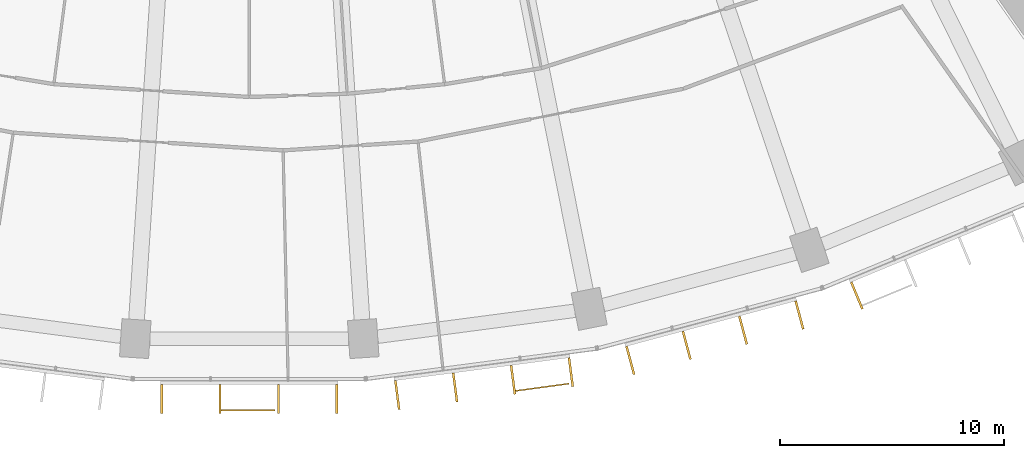
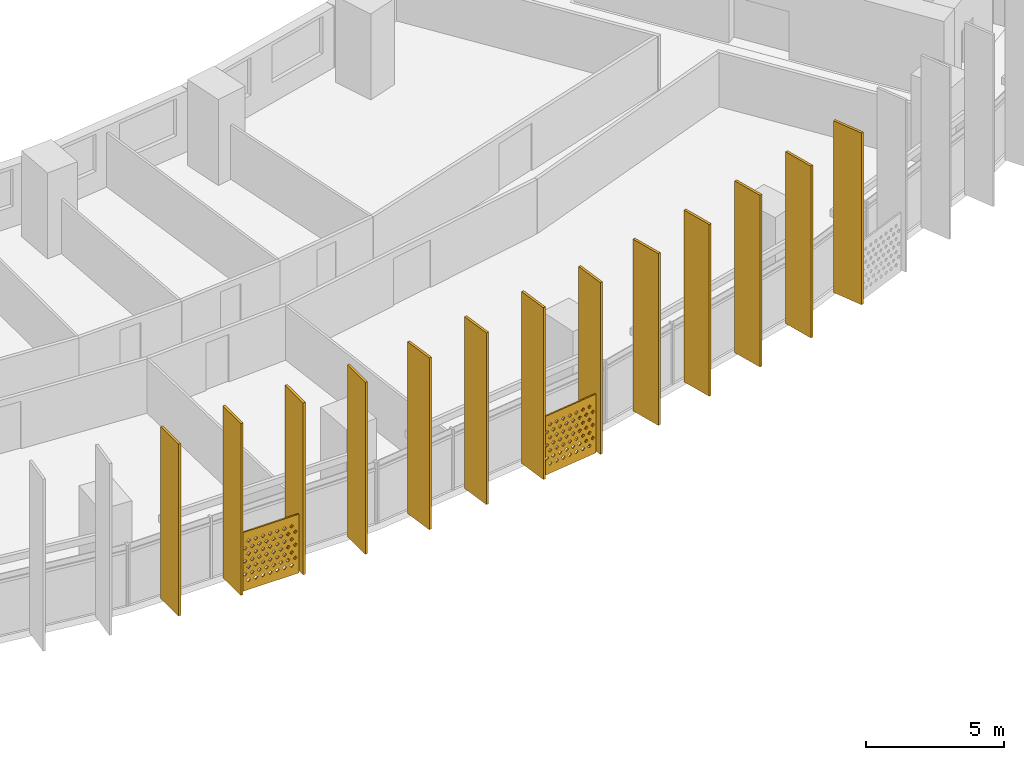
# One storey, part 30 of 33: 15 shading devices.
"""IFC4 building model written with IfcOpenShell, lengths in metres."""

from ifc_helpers import new_model, si_unit, direction, frame, origin, origin_2d, place, context, subcontext, project, spatial, polyline, rectangle, outline, extrude, material, material_profile, profile_set, type_object, element, save


model = new_model("IFC4")

# Units and contexts
model_context = context("Model", 3, precision=1e-05, world=origin(), true_north=direction((0.0, 1.0)))
body_context = subcontext(model_context, "Body", "Model", "MODEL_VIEW")
ifc_project = project(units=[si_unit("LENGTHUNIT", "METRE"), si_unit("AREAUNIT", "SQUARE_METRE"), si_unit("VOLUMEUNIT", "CUBIC_METRE"), si_unit("PLANEANGLEUNIT", "RADIAN"), si_unit("MASSUNIT", "GRAM", prefix="KILO")], contexts=[model_context])

# Site, building, storey
site_placement = place(None, origin())
site = spatial("IfcSite", under=ifc_project, at=site_placement, CompositionType="ELEMENT")
building_placement = place(site_placement, origin())
building = spatial("IfcBuilding", under=site, at=building_placement, Name="Qamariyya Broadcast Tower", CompositionType="ELEMENT")
storey_placement = place(building_placement, frame((0.0, 0.0, 78.5)))
storey = spatial("IfcBuildingStorey", under=building, at=storey_placement, Name="L16", CompositionType="ELEMENT", Elevation=78.5)

# Shading devices
ifc_material_1 = material(Name="Perforated glazed terracotta", Category="masonry")
ifc_material_profile_1 = material_profile(ifc_material_1, outline(polyline([(-1.199951171875, -1.300048828125), (1.199951171875, -1.300048828125), (1.199951171875, 1.300048828125), (-1.199951171875, 1.300048828125), (-1.199951171875, -1.300048828125)]), holes=[polyline([(-0.81494140625, -0.86669921875), (-0.89990234375, -0.78173828125), (-0.985107421875, -0.86669921875), (-0.89990234375, -0.95166015625), (-0.81494140625, -0.86669921875)]), polyline([(-0.514892578125, -0.86669921875), (-0.60009765625, -0.78173828125), (-0.68505859375, -0.86669921875), (-0.60009765625, -0.95166015625), (-0.514892578125, -0.86669921875)]), polyline([(-0.215087890625, -0.86669921875), (-0.300048828125, -0.78173828125), (-0.385009765625, -0.86669921875), (-0.300048828125, -0.95166015625), (-0.215087890625, -0.86669921875)]), polyline([(0.0849609375, -0.86669921875), (0.0, -0.78173828125), (-0.0849609375, -0.86669921875), (0.0, -0.95166015625), (0.0849609375, -0.86669921875)]), polyline([(0.385009765625, -0.86669921875), (0.300048828125, -0.78173828125), (0.215087890625, -0.86669921875), (0.300048828125, -0.95166015625), (0.385009765625, -0.86669921875)]), polyline([(0.68505859375, -0.86669921875), (0.60009765625, -0.78173828125), (0.514892578125, -0.86669921875), (0.60009765625, -0.95166015625), (0.68505859375, -0.86669921875)]), polyline([(0.985107421875, -0.86669921875), (0.89990234375, -0.78173828125), (0.81494140625, -0.86669921875), (0.89990234375, -0.95166015625), (0.985107421875, -0.86669921875)]), polyline([(-0.965087890625, -0.577880859375), (-1.050048828125, -0.49267578125), (-1.135009765625, -0.577880859375), (-1.050048828125, -0.662841796875), (-0.965087890625, -0.577880859375)]), polyline([(-0.6650390625, -0.577880859375), (-0.75, -0.49267578125), (-0.8349609375, -0.577880859375), (-0.75, -0.662841796875), (-0.6650390625, -0.577880859375)]), polyline([(-0.364990234375, -0.577880859375), (-0.449951171875, -0.49267578125), (-0.534912109375, -0.577880859375), (-0.449951171875, -0.662841796875), (-0.364990234375, -0.577880859375)]), polyline([(-0.06494140625, -0.577880859375), (-0.14990234375, -0.49267578125), (-0.235107421875, -0.577880859375), (-0.14990234375, -0.662841796875), (-0.06494140625, -0.577880859375)]), polyline([(0.235107421875, -0.577880859375), (0.14990234375, -0.49267578125), (0.06494140625, -0.577880859375), (0.14990234375, -0.662841796875), (0.235107421875, -0.577880859375)]), polyline([(0.534912109375, -0.577880859375), (0.449951171875, -0.49267578125), (0.364990234375, -0.577880859375), (0.449951171875, -0.662841796875), (0.534912109375, -0.577880859375)]), polyline([(0.8349609375, -0.577880859375), (0.75, -0.49267578125), (0.6650390625, -0.577880859375), (0.75, -0.662841796875), (0.8349609375, -0.577880859375)]), polyline([(1.135009765625, -0.577880859375), (1.050048828125, -0.49267578125), (0.965087890625, -0.577880859375), (1.050048828125, -0.662841796875), (1.135009765625, -0.577880859375)]), polyline([(-0.81494140625, -0.288818359375), (-0.89990234375, -0.203857421875), (-0.985107421875, -0.288818359375), (-0.89990234375, -0.373779296875), (-0.81494140625, -0.288818359375)]), polyline([(-0.514892578125, -0.288818359375), (-0.60009765625, -0.203857421875), (-0.68505859375, -0.288818359375), (-0.60009765625, -0.373779296875), (-0.514892578125, -0.288818359375)]), polyline([(-0.215087890625, -0.288818359375), (-0.300048828125, -0.203857421875), (-0.385009765625, -0.288818359375), (-0.300048828125, -0.373779296875), (-0.215087890625, -0.288818359375)]), polyline([(0.0849609375, -0.288818359375), (0.0, -0.203857421875), (-0.0849609375, -0.288818359375), (0.0, -0.373779296875), (0.0849609375, -0.288818359375)]), polyline([(0.385009765625, -0.288818359375), (0.300048828125, -0.203857421875), (0.215087890625, -0.288818359375), (0.300048828125, -0.373779296875), (0.385009765625, -0.288818359375)]), polyline([(0.68505859375, -0.288818359375), (0.60009765625, -0.203857421875), (0.514892578125, -0.288818359375), (0.60009765625, -0.373779296875), (0.68505859375, -0.288818359375)]), polyline([(0.985107421875, -0.288818359375), (0.89990234375, -0.203857421875), (0.81494140625, -0.288818359375), (0.89990234375, -0.373779296875), (0.985107421875, -0.288818359375)]), polyline([(-0.965087890625, 0.0), (-1.050048828125, 0.0849609375), (-1.135009765625, 0.0), (-1.050048828125, -0.0849609375), (-0.965087890625, 0.0)]), polyline([(-0.6650390625, 0.0), (-0.75, 0.0849609375), (-0.8349609375, 0.0), (-0.75, -0.0849609375), (-0.6650390625, 0.0)]), polyline([(-0.364990234375, 0.0), (-0.449951171875, 0.0849609375), (-0.534912109375, 0.0), (-0.449951171875, -0.0849609375), (-0.364990234375, 0.0)]), polyline([(-0.06494140625, 0.0), (-0.14990234375, 0.0849609375), (-0.235107421875, 0.0), (-0.14990234375, -0.0849609375), (-0.06494140625, 0.0)]), polyline([(0.235107421875, 0.0), (0.14990234375, 0.0849609375), (0.06494140625, 0.0), (0.14990234375, -0.0849609375), (0.235107421875, 0.0)]), polyline([(0.534912109375, 0.0), (0.449951171875, 0.0849609375), (0.364990234375, 0.0), (0.449951171875, -0.0849609375), (0.534912109375, 0.0)]), polyline([(0.8349609375, 0.0), (0.75, 0.0849609375), (0.6650390625, 0.0), (0.75, -0.0849609375), (0.8349609375, 0.0)]), polyline([(1.135009765625, 0.0), (1.050048828125, 0.0849609375), (0.965087890625, 0.0), (1.050048828125, -0.0849609375), (1.135009765625, 0.0)]), polyline([(-0.81494140625, 0.288818359375), (-0.89990234375, 0.373779296875), (-0.985107421875, 0.288818359375), (-0.89990234375, 0.203857421875), (-0.81494140625, 0.288818359375)]), polyline([(-0.514892578125, 0.288818359375), (-0.60009765625, 0.373779296875), (-0.68505859375, 0.288818359375), (-0.60009765625, 0.203857421875), (-0.514892578125, 0.288818359375)]), polyline([(-0.215087890625, 0.288818359375), (-0.300048828125, 0.373779296875), (-0.385009765625, 0.288818359375), (-0.300048828125, 0.203857421875), (-0.215087890625, 0.288818359375)]), polyline([(0.0849609375, 0.288818359375), (0.0, 0.373779296875), (-0.0849609375, 0.288818359375), (0.0, 0.203857421875), (0.0849609375, 0.288818359375)]), polyline([(0.385009765625, 0.288818359375), (0.300048828125, 0.373779296875), (0.215087890625, 0.288818359375), (0.300048828125, 0.203857421875), (0.385009765625, 0.288818359375)]), polyline([(0.68505859375, 0.288818359375), (0.60009765625, 0.373779296875), (0.514892578125, 0.288818359375), (0.60009765625, 0.203857421875), (0.68505859375, 0.288818359375)]), polyline([(0.985107421875, 0.288818359375), (0.89990234375, 0.373779296875), (0.81494140625, 0.288818359375), (0.89990234375, 0.203857421875), (0.985107421875, 0.288818359375)]), polyline([(-0.965087890625, 0.577880859375), (-1.050048828125, 0.662841796875), (-1.135009765625, 0.577880859375), (-1.050048828125, 0.49267578125), (-0.965087890625, 0.577880859375)]), polyline([(-0.6650390625, 0.577880859375), (-0.75, 0.662841796875), (-0.8349609375, 0.577880859375), (-0.75, 0.49267578125), (-0.6650390625, 0.577880859375)]), polyline([(-0.364990234375, 0.577880859375), (-0.449951171875, 0.662841796875), (-0.534912109375, 0.577880859375), (-0.449951171875, 0.49267578125), (-0.364990234375, 0.577880859375)]), polyline([(-0.06494140625, 0.577880859375), (-0.14990234375, 0.662841796875), (-0.235107421875, 0.577880859375), (-0.14990234375, 0.49267578125), (-0.06494140625, 0.577880859375)]), polyline([(0.235107421875, 0.577880859375), (0.14990234375, 0.662841796875), (0.06494140625, 0.577880859375), (0.14990234375, 0.49267578125), (0.235107421875, 0.577880859375)]), polyline([(0.534912109375, 0.577880859375), (0.449951171875, 0.662841796875), (0.364990234375, 0.577880859375), (0.449951171875, 0.49267578125), (0.534912109375, 0.577880859375)]), polyline([(0.8349609375, 0.577880859375), (0.75, 0.662841796875), (0.6650390625, 0.577880859375), (0.75, 0.49267578125), (0.8349609375, 0.577880859375)]), polyline([(1.135009765625, 0.577880859375), (1.050048828125, 0.662841796875), (0.965087890625, 0.577880859375), (1.050048828125, 0.49267578125), (1.135009765625, 0.577880859375)]), polyline([(-0.81494140625, 0.86669921875), (-0.89990234375, 0.95166015625), (-0.985107421875, 0.86669921875), (-0.89990234375, 0.78173828125), (-0.81494140625, 0.86669921875)]), polyline([(-0.514892578125, 0.86669921875), (-0.60009765625, 0.95166015625), (-0.68505859375, 0.86669921875), (-0.60009765625, 0.78173828125), (-0.514892578125, 0.86669921875)]), polyline([(-0.215087890625, 0.86669921875), (-0.300048828125, 0.95166015625), (-0.385009765625, 0.86669921875), (-0.300048828125, 0.78173828125), (-0.215087890625, 0.86669921875)]), polyline([(0.0849609375, 0.86669921875), (0.0, 0.95166015625), (-0.0849609375, 0.86669921875), (0.0, 0.78173828125), (0.0849609375, 0.86669921875)]), polyline([(0.385009765625, 0.86669921875), (0.300048828125, 0.95166015625), (0.215087890625, 0.86669921875), (0.300048828125, 0.78173828125), (0.385009765625, 0.86669921875)]), polyline([(0.68505859375, 0.86669921875), (0.60009765625, 0.95166015625), (0.514892578125, 0.86669921875), (0.60009765625, 0.78173828125), (0.68505859375, 0.86669921875)]), polyline([(0.985107421875, 0.86669921875), (0.89990234375, 0.95166015625), (0.81494140625, 0.86669921875), (0.89990234375, 0.78173828125), (0.985107421875, 0.86669921875)])]))
ifc_profile_set_1 = profile_set([ifc_material_profile_1], Name="Perforated glazed terracotta")
shading_device_type_1 = type_object("IfcShadingDeviceType", Name="Perforated terracotta screen 2400 x 2600", PredefinedType="USERDEFINED", material=ifc_profile_set_1)
shading_device_1_placement = place(storey_placement, frame((-0.05224609375, -80.74951171875, 1.35009765625), z_axis=(0.0, -1.0, 0.0), x_axis=(1.0, 0.0, 0.0)))
element("IfcShadingDevice", 1, at=shading_device_1_placement, inside=storey, type_object=shading_device_type_1, Name="e-scr-L16-08-1", ObjectType="SCREEN", PredefinedType="USERDEFINED", context=body_context, shape_type="SweptSolid", body=[
    extrude(outline(polyline([(-1.199951171875, -1.300048828125), (1.199951171875, -1.300048828125), (1.199951171875, 1.300048828125), (-1.199951171875, 1.300048828125), (-1.199951171875, -1.300048828125)]), holes=[polyline([(-0.81494140625, -0.86669921875), (-0.89990234375, -0.78173828125), (-0.985107421875, -0.86669921875), (-0.89990234375, -0.95166015625), (-0.81494140625, -0.86669921875)]), polyline([(-0.514892578125, -0.86669921875), (-0.60009765625, -0.78173828125), (-0.68505859375, -0.86669921875), (-0.60009765625, -0.95166015625), (-0.514892578125, -0.86669921875)]), polyline([(-0.215087890625, -0.86669921875), (-0.300048828125, -0.78173828125), (-0.385009765625, -0.86669921875), (-0.300048828125, -0.95166015625), (-0.215087890625, -0.86669921875)]), polyline([(0.0849609375, -0.86669921875), (0.0, -0.78173828125), (-0.0849609375, -0.86669921875), (0.0, -0.95166015625), (0.0849609375, -0.86669921875)]), polyline([(0.385009765625, -0.86669921875), (0.300048828125, -0.78173828125), (0.215087890625, -0.86669921875), (0.300048828125, -0.95166015625), (0.385009765625, -0.86669921875)]), polyline([(0.68505859375, -0.86669921875), (0.60009765625, -0.78173828125), (0.514892578125, -0.86669921875), (0.60009765625, -0.95166015625), (0.68505859375, -0.86669921875)]), polyline([(0.985107421875, -0.86669921875), (0.89990234375, -0.78173828125), (0.81494140625, -0.86669921875), (0.89990234375, -0.95166015625), (0.985107421875, -0.86669921875)]), polyline([(-0.965087890625, -0.577880859375), (-1.050048828125, -0.49267578125), (-1.135009765625, -0.577880859375), (-1.050048828125, -0.662841796875), (-0.965087890625, -0.577880859375)]), polyline([(-0.6650390625, -0.577880859375), (-0.75, -0.49267578125), (-0.8349609375, -0.577880859375), (-0.75, -0.662841796875), (-0.6650390625, -0.577880859375)]), polyline([(-0.364990234375, -0.577880859375), (-0.449951171875, -0.49267578125), (-0.534912109375, -0.577880859375), (-0.449951171875, -0.662841796875), (-0.364990234375, -0.577880859375)]), polyline([(-0.06494140625, -0.577880859375), (-0.14990234375, -0.49267578125), (-0.235107421875, -0.577880859375), (-0.14990234375, -0.662841796875), (-0.06494140625, -0.577880859375)]), polyline([(0.235107421875, -0.577880859375), (0.14990234375, -0.49267578125), (0.06494140625, -0.577880859375), (0.14990234375, -0.662841796875), (0.235107421875, -0.577880859375)]), polyline([(0.534912109375, -0.577880859375), (0.449951171875, -0.49267578125), (0.364990234375, -0.577880859375), (0.449951171875, -0.662841796875), (0.534912109375, -0.577880859375)]), polyline([(0.8349609375, -0.577880859375), (0.75, -0.49267578125), (0.6650390625, -0.577880859375), (0.75, -0.662841796875), (0.8349609375, -0.577880859375)]), polyline([(1.135009765625, -0.577880859375), (1.050048828125, -0.49267578125), (0.965087890625, -0.577880859375), (1.050048828125, -0.662841796875), (1.135009765625, -0.577880859375)]), polyline([(-0.81494140625, -0.288818359375), (-0.89990234375, -0.203857421875), (-0.985107421875, -0.288818359375), (-0.89990234375, -0.373779296875), (-0.81494140625, -0.288818359375)]), polyline([(-0.514892578125, -0.288818359375), (-0.60009765625, -0.203857421875), (-0.68505859375, -0.288818359375), (-0.60009765625, -0.373779296875), (-0.514892578125, -0.288818359375)]), polyline([(-0.215087890625, -0.288818359375), (-0.300048828125, -0.203857421875), (-0.385009765625, -0.288818359375), (-0.300048828125, -0.373779296875), (-0.215087890625, -0.288818359375)]), polyline([(0.0849609375, -0.288818359375), (0.0, -0.203857421875), (-0.0849609375, -0.288818359375), (0.0, -0.373779296875), (0.0849609375, -0.288818359375)]), polyline([(0.385009765625, -0.288818359375), (0.300048828125, -0.203857421875), (0.215087890625, -0.288818359375), (0.300048828125, -0.373779296875), (0.385009765625, -0.288818359375)]), polyline([(0.68505859375, -0.288818359375), (0.60009765625, -0.203857421875), (0.514892578125, -0.288818359375), (0.60009765625, -0.373779296875), (0.68505859375, -0.288818359375)]), polyline([(0.985107421875, -0.288818359375), (0.89990234375, -0.203857421875), (0.81494140625, -0.288818359375), (0.89990234375, -0.373779296875), (0.985107421875, -0.288818359375)]), polyline([(-0.965087890625, 0.0), (-1.050048828125, 0.0849609375), (-1.135009765625, 0.0), (-1.050048828125, -0.0849609375), (-0.965087890625, 0.0)]), polyline([(-0.6650390625, 0.0), (-0.75, 0.0849609375), (-0.8349609375, 0.0), (-0.75, -0.0849609375), (-0.6650390625, 0.0)]), polyline([(-0.364990234375, 0.0), (-0.449951171875, 0.0849609375), (-0.534912109375, 0.0), (-0.449951171875, -0.0849609375), (-0.364990234375, 0.0)]), polyline([(-0.06494140625, 0.0), (-0.14990234375, 0.0849609375), (-0.235107421875, 0.0), (-0.14990234375, -0.0849609375), (-0.06494140625, 0.0)]), polyline([(0.235107421875, 0.0), (0.14990234375, 0.0849609375), (0.06494140625, 0.0), (0.14990234375, -0.0849609375), (0.235107421875, 0.0)]), polyline([(0.534912109375, 0.0), (0.449951171875, 0.0849609375), (0.364990234375, 0.0), (0.449951171875, -0.0849609375), (0.534912109375, 0.0)]), polyline([(0.8349609375, 0.0), (0.75, 0.0849609375), (0.6650390625, 0.0), (0.75, -0.0849609375), (0.8349609375, 0.0)]), polyline([(1.135009765625, 0.0), (1.050048828125, 0.0849609375), (0.965087890625, 0.0), (1.050048828125, -0.0849609375), (1.135009765625, 0.0)]), polyline([(-0.81494140625, 0.288818359375), (-0.89990234375, 0.373779296875), (-0.985107421875, 0.288818359375), (-0.89990234375, 0.203857421875), (-0.81494140625, 0.288818359375)]), polyline([(-0.514892578125, 0.288818359375), (-0.60009765625, 0.373779296875), (-0.68505859375, 0.288818359375), (-0.60009765625, 0.203857421875), (-0.514892578125, 0.288818359375)]), polyline([(-0.215087890625, 0.288818359375), (-0.300048828125, 0.373779296875), (-0.385009765625, 0.288818359375), (-0.300048828125, 0.203857421875), (-0.215087890625, 0.288818359375)]), polyline([(0.0849609375, 0.288818359375), (0.0, 0.373779296875), (-0.0849609375, 0.288818359375), (0.0, 0.203857421875), (0.0849609375, 0.288818359375)]), polyline([(0.385009765625, 0.288818359375), (0.300048828125, 0.373779296875), (0.215087890625, 0.288818359375), (0.300048828125, 0.203857421875), (0.385009765625, 0.288818359375)]), polyline([(0.68505859375, 0.288818359375), (0.60009765625, 0.373779296875), (0.514892578125, 0.288818359375), (0.60009765625, 0.203857421875), (0.68505859375, 0.288818359375)]), polyline([(0.985107421875, 0.288818359375), (0.89990234375, 0.373779296875), (0.81494140625, 0.288818359375), (0.89990234375, 0.203857421875), (0.985107421875, 0.288818359375)]), polyline([(-0.965087890625, 0.577880859375), (-1.050048828125, 0.662841796875), (-1.135009765625, 0.577880859375), (-1.050048828125, 0.49267578125), (-0.965087890625, 0.577880859375)]), polyline([(-0.6650390625, 0.577880859375), (-0.75, 0.662841796875), (-0.8349609375, 0.577880859375), (-0.75, 0.49267578125), (-0.6650390625, 0.577880859375)]), polyline([(-0.364990234375, 0.577880859375), (-0.449951171875, 0.662841796875), (-0.534912109375, 0.577880859375), (-0.449951171875, 0.49267578125), (-0.364990234375, 0.577880859375)]), polyline([(-0.06494140625, 0.577880859375), (-0.14990234375, 0.662841796875), (-0.235107421875, 0.577880859375), (-0.14990234375, 0.49267578125), (-0.06494140625, 0.577880859375)]), polyline([(0.235107421875, 0.577880859375), (0.14990234375, 0.662841796875), (0.06494140625, 0.577880859375), (0.14990234375, 0.49267578125), (0.235107421875, 0.577880859375)]), polyline([(0.534912109375, 0.577880859375), (0.449951171875, 0.662841796875), (0.364990234375, 0.577880859375), (0.449951171875, 0.49267578125), (0.534912109375, 0.577880859375)]), polyline([(0.8349609375, 0.577880859375), (0.75, 0.662841796875), (0.6650390625, 0.577880859375), (0.75, 0.49267578125), (0.8349609375, 0.577880859375)]), polyline([(1.135009765625, 0.577880859375), (1.050048828125, 0.662841796875), (0.965087890625, 0.577880859375), (1.050048828125, 0.49267578125), (1.135009765625, 0.577880859375)]), polyline([(-0.81494140625, 0.86669921875), (-0.89990234375, 0.95166015625), (-0.985107421875, 0.86669921875), (-0.89990234375, 0.78173828125), (-0.81494140625, 0.86669921875)]), polyline([(-0.514892578125, 0.86669921875), (-0.60009765625, 0.95166015625), (-0.68505859375, 0.86669921875), (-0.60009765625, 0.78173828125), (-0.514892578125, 0.86669921875)]), polyline([(-0.215087890625, 0.86669921875), (-0.300048828125, 0.95166015625), (-0.385009765625, 0.86669921875), (-0.300048828125, 0.78173828125), (-0.215087890625, 0.86669921875)]), polyline([(0.0849609375, 0.86669921875), (0.0, 0.95166015625), (-0.0849609375, 0.86669921875), (0.0, 0.78173828125), (0.0849609375, 0.86669921875)]), polyline([(0.385009765625, 0.86669921875), (0.300048828125, 0.95166015625), (0.215087890625, 0.86669921875), (0.300048828125, 0.78173828125), (0.385009765625, 0.86669921875)]), polyline([(0.68505859375, 0.86669921875), (0.60009765625, 0.95166015625), (0.514892578125, 0.86669921875), (0.60009765625, 0.78173828125), (0.68505859375, 0.86669921875)]), polyline([(0.985107421875, 0.86669921875), (0.89990234375, 0.95166015625), (0.81494140625, 0.86669921875), (0.89990234375, 0.78173828125), (0.985107421875, 0.86669921875)])]), origin(), (0.0, 0.0, 1.0), 0.06005859375),
])
shading_device_2_placement = place(storey_placement, frame((13.0703125, -79.7255859375, 1.35009765625), z_axis=(0.13456727237, -0.990904460181, 0.0), x_axis=(0.990904460181, 0.13456727237, 0.0)))
element("IfcShadingDevice", 2, at=shading_device_2_placement, inside=storey, type_object=shading_device_type_1, Name="e-scr-L16-09-2", ObjectType="SCREEN", PredefinedType="USERDEFINED", context=body_context, shape_type="SweptSolid", body=[
    extrude(outline(polyline([(-1.199951171875, -1.300048828125), (1.199951171875, -1.300048828125), (1.199951171875, 1.300048828125), (-1.199951171875, 1.300048828125), (-1.199951171875, -1.300048828125)]), holes=[polyline([(-0.81494140625, -0.86669921875), (-0.89990234375, -0.78173828125), (-0.985107421875, -0.86669921875), (-0.89990234375, -0.95166015625), (-0.81494140625, -0.86669921875)]), polyline([(-0.514892578125, -0.86669921875), (-0.60009765625, -0.78173828125), (-0.68505859375, -0.86669921875), (-0.60009765625, -0.95166015625), (-0.514892578125, -0.86669921875)]), polyline([(-0.215087890625, -0.86669921875), (-0.300048828125, -0.78173828125), (-0.385009765625, -0.86669921875), (-0.300048828125, -0.95166015625), (-0.215087890625, -0.86669921875)]), polyline([(0.0849609375, -0.86669921875), (0.0, -0.78173828125), (-0.0849609375, -0.86669921875), (0.0, -0.95166015625), (0.0849609375, -0.86669921875)]), polyline([(0.385009765625, -0.86669921875), (0.300048828125, -0.78173828125), (0.215087890625, -0.86669921875), (0.300048828125, -0.95166015625), (0.385009765625, -0.86669921875)]), polyline([(0.68505859375, -0.86669921875), (0.60009765625, -0.78173828125), (0.514892578125, -0.86669921875), (0.60009765625, -0.95166015625), (0.68505859375, -0.86669921875)]), polyline([(0.985107421875, -0.86669921875), (0.89990234375, -0.78173828125), (0.81494140625, -0.86669921875), (0.89990234375, -0.95166015625), (0.985107421875, -0.86669921875)]), polyline([(-0.965087890625, -0.577880859375), (-1.050048828125, -0.49267578125), (-1.135009765625, -0.577880859375), (-1.050048828125, -0.662841796875), (-0.965087890625, -0.577880859375)]), polyline([(-0.6650390625, -0.577880859375), (-0.75, -0.49267578125), (-0.8349609375, -0.577880859375), (-0.75, -0.662841796875), (-0.6650390625, -0.577880859375)]), polyline([(-0.364990234375, -0.577880859375), (-0.449951171875, -0.49267578125), (-0.534912109375, -0.577880859375), (-0.449951171875, -0.662841796875), (-0.364990234375, -0.577880859375)]), polyline([(-0.06494140625, -0.577880859375), (-0.14990234375, -0.49267578125), (-0.235107421875, -0.577880859375), (-0.14990234375, -0.662841796875), (-0.06494140625, -0.577880859375)]), polyline([(0.235107421875, -0.577880859375), (0.14990234375, -0.49267578125), (0.06494140625, -0.577880859375), (0.14990234375, -0.662841796875), (0.235107421875, -0.577880859375)]), polyline([(0.534912109375, -0.577880859375), (0.449951171875, -0.49267578125), (0.364990234375, -0.577880859375), (0.449951171875, -0.662841796875), (0.534912109375, -0.577880859375)]), polyline([(0.8349609375, -0.577880859375), (0.75, -0.49267578125), (0.6650390625, -0.577880859375), (0.75, -0.662841796875), (0.8349609375, -0.577880859375)]), polyline([(1.135009765625, -0.577880859375), (1.050048828125, -0.49267578125), (0.965087890625, -0.577880859375), (1.050048828125, -0.662841796875), (1.135009765625, -0.577880859375)]), polyline([(-0.81494140625, -0.288818359375), (-0.89990234375, -0.203857421875), (-0.985107421875, -0.288818359375), (-0.89990234375, -0.373779296875), (-0.81494140625, -0.288818359375)]), polyline([(-0.514892578125, -0.288818359375), (-0.60009765625, -0.203857421875), (-0.68505859375, -0.288818359375), (-0.60009765625, -0.373779296875), (-0.514892578125, -0.288818359375)]), polyline([(-0.215087890625, -0.288818359375), (-0.300048828125, -0.203857421875), (-0.385009765625, -0.288818359375), (-0.300048828125, -0.373779296875), (-0.215087890625, -0.288818359375)]), polyline([(0.0849609375, -0.288818359375), (0.0, -0.203857421875), (-0.0849609375, -0.288818359375), (0.0, -0.373779296875), (0.0849609375, -0.288818359375)]), polyline([(0.385009765625, -0.288818359375), (0.300048828125, -0.203857421875), (0.215087890625, -0.288818359375), (0.300048828125, -0.373779296875), (0.385009765625, -0.288818359375)]), polyline([(0.68505859375, -0.288818359375), (0.60009765625, -0.203857421875), (0.514892578125, -0.288818359375), (0.60009765625, -0.373779296875), (0.68505859375, -0.288818359375)]), polyline([(0.985107421875, -0.288818359375), (0.89990234375, -0.203857421875), (0.81494140625, -0.288818359375), (0.89990234375, -0.373779296875), (0.985107421875, -0.288818359375)]), polyline([(-0.965087890625, 0.0), (-1.050048828125, 0.0849609375), (-1.135009765625, 0.0), (-1.050048828125, -0.0849609375), (-0.965087890625, 0.0)]), polyline([(-0.6650390625, 0.0), (-0.75, 0.0849609375), (-0.8349609375, 0.0), (-0.75, -0.0849609375), (-0.6650390625, 0.0)]), polyline([(-0.364990234375, 0.0), (-0.449951171875, 0.0849609375), (-0.534912109375, 0.0), (-0.449951171875, -0.0849609375), (-0.364990234375, 0.0)]), polyline([(-0.06494140625, 0.0), (-0.14990234375, 0.0849609375), (-0.235107421875, 0.0), (-0.14990234375, -0.0849609375), (-0.06494140625, 0.0)]), polyline([(0.235107421875, 0.0), (0.14990234375, 0.0849609375), (0.06494140625, 0.0), (0.14990234375, -0.0849609375), (0.235107421875, 0.0)]), polyline([(0.534912109375, 0.0), (0.449951171875, 0.0849609375), (0.364990234375, 0.0), (0.449951171875, -0.0849609375), (0.534912109375, 0.0)]), polyline([(0.8349609375, 0.0), (0.75, 0.0849609375), (0.6650390625, 0.0), (0.75, -0.0849609375), (0.8349609375, 0.0)]), polyline([(1.135009765625, 0.0), (1.050048828125, 0.0849609375), (0.965087890625, 0.0), (1.050048828125, -0.0849609375), (1.135009765625, 0.0)]), polyline([(-0.81494140625, 0.288818359375), (-0.89990234375, 0.373779296875), (-0.985107421875, 0.288818359375), (-0.89990234375, 0.203857421875), (-0.81494140625, 0.288818359375)]), polyline([(-0.514892578125, 0.288818359375), (-0.60009765625, 0.373779296875), (-0.68505859375, 0.288818359375), (-0.60009765625, 0.203857421875), (-0.514892578125, 0.288818359375)]), polyline([(-0.215087890625, 0.288818359375), (-0.300048828125, 0.373779296875), (-0.385009765625, 0.288818359375), (-0.300048828125, 0.203857421875), (-0.215087890625, 0.288818359375)]), polyline([(0.0849609375, 0.288818359375), (0.0, 0.373779296875), (-0.0849609375, 0.288818359375), (0.0, 0.203857421875), (0.0849609375, 0.288818359375)]), polyline([(0.385009765625, 0.288818359375), (0.300048828125, 0.373779296875), (0.215087890625, 0.288818359375), (0.300048828125, 0.203857421875), (0.385009765625, 0.288818359375)]), polyline([(0.68505859375, 0.288818359375), (0.60009765625, 0.373779296875), (0.514892578125, 0.288818359375), (0.60009765625, 0.203857421875), (0.68505859375, 0.288818359375)]), polyline([(0.985107421875, 0.288818359375), (0.89990234375, 0.373779296875), (0.81494140625, 0.288818359375), (0.89990234375, 0.203857421875), (0.985107421875, 0.288818359375)]), polyline([(-0.965087890625, 0.577880859375), (-1.050048828125, 0.662841796875), (-1.135009765625, 0.577880859375), (-1.050048828125, 0.49267578125), (-0.965087890625, 0.577880859375)]), polyline([(-0.6650390625, 0.577880859375), (-0.75, 0.662841796875), (-0.8349609375, 0.577880859375), (-0.75, 0.49267578125), (-0.6650390625, 0.577880859375)]), polyline([(-0.364990234375, 0.577880859375), (-0.449951171875, 0.662841796875), (-0.534912109375, 0.577880859375), (-0.449951171875, 0.49267578125), (-0.364990234375, 0.577880859375)]), polyline([(-0.06494140625, 0.577880859375), (-0.14990234375, 0.662841796875), (-0.235107421875, 0.577880859375), (-0.14990234375, 0.49267578125), (-0.06494140625, 0.577880859375)]), polyline([(0.235107421875, 0.577880859375), (0.14990234375, 0.662841796875), (0.06494140625, 0.577880859375), (0.14990234375, 0.49267578125), (0.235107421875, 0.577880859375)]), polyline([(0.534912109375, 0.577880859375), (0.449951171875, 0.662841796875), (0.364990234375, 0.577880859375), (0.449951171875, 0.49267578125), (0.534912109375, 0.577880859375)]), polyline([(0.8349609375, 0.577880859375), (0.75, 0.662841796875), (0.6650390625, 0.577880859375), (0.75, 0.49267578125), (0.8349609375, 0.577880859375)]), polyline([(1.135009765625, 0.577880859375), (1.050048828125, 0.662841796875), (0.965087890625, 0.577880859375), (1.050048828125, 0.49267578125), (1.135009765625, 0.577880859375)]), polyline([(-0.81494140625, 0.86669921875), (-0.89990234375, 0.95166015625), (-0.985107421875, 0.86669921875), (-0.89990234375, 0.78173828125), (-0.81494140625, 0.86669921875)]), polyline([(-0.514892578125, 0.86669921875), (-0.60009765625, 0.95166015625), (-0.68505859375, 0.86669921875), (-0.60009765625, 0.78173828125), (-0.514892578125, 0.86669921875)]), polyline([(-0.215087890625, 0.86669921875), (-0.300048828125, 0.95166015625), (-0.385009765625, 0.86669921875), (-0.300048828125, 0.78173828125), (-0.215087890625, 0.86669921875)]), polyline([(0.0849609375, 0.86669921875), (0.0, 0.95166015625), (-0.0849609375, 0.86669921875), (0.0, 0.78173828125), (0.0849609375, 0.86669921875)]), polyline([(0.385009765625, 0.86669921875), (0.300048828125, 0.95166015625), (0.215087890625, 0.86669921875), (0.300048828125, 0.78173828125), (0.385009765625, 0.86669921875)]), polyline([(0.68505859375, 0.86669921875), (0.60009765625, 0.95166015625), (0.514892578125, 0.86669921875), (0.60009765625, 0.78173828125), (0.68505859375, 0.86669921875)]), polyline([(0.985107421875, 0.86669921875), (0.89990234375, 0.95166015625), (0.81494140625, 0.86669921875), (0.89990234375, 0.78173828125), (0.985107421875, 0.86669921875)])]), origin(), (0.0, 0.0, 1.0), 0.059814453125),
])
ifc_material_2 = material(Name="Glazed terracotta", Category="masonry")
ifc_material_profile_2 = material_profile(ifc_material_2, rectangle(XDim=1.300048828125, YDim=0.10009765625, at=origin_2d()))
ifc_profile_set_2 = profile_set([ifc_material_profile_2], Name="Glazed terracotta")
shading_device_type_2 = type_object("IfcShadingDeviceType", Name="Terracotta fin 100 x 1300", PredefinedType="USERDEFINED", material=ifc_profile_set_2)
for number, where, z_axis, x_axis, name in (
    (3, (-3.906982421875, -80.279541015625, 0.0), (0.0, 0.0, 1.0), (0.0, -1.0, 0.0), "e-fin-L16-08-0"),
    (4, (-1.30224609375, -80.279541015625, 0.0), (0.0, 0.0, 1.0), (0.0, -1.0, 0.0), "e-fin-L16-08-1"),
    (5, (1.30224609375, -80.279541015625, 0.0), (0.0, 0.0, 1.0), (0.0, -1.0, 0.0), "e-fin-L16-08-2"),
    (6, (3.906982421875, -80.279541015625, 0.0), (0.0, 0.0, 1.0), (0.0, -1.0, 0.0), "e-fin-L16-08-3"),
    (7, (6.60498046875, -80.1025390625, 0.0), (0.0, 0.0, 1.0), (0.13052619222, -0.991444861374, 0.0), "e-fin-L16-09-0"),
    (8, (9.187255859375, -79.7626953125, 0.0), (0.0, 0.0, 1.0), (0.13052619222, -0.991444861374, 0.0), "e-fin-L16-09-1"),
    (9, (11.769775390625, -79.422607421875, 0.0), (0.0, 0.0, 1.0), (0.13052619222, -0.991444861374, 0.0), "e-fin-L16-09-2"),
    (10, (14.35205078125, -79.082763671875, 0.0), (0.0, 0.0, 1.0), (0.13052619222, -0.991444861374, 0.0), "e-fin-L16-09-3"),
    (11, (17.00390625, -78.55517578125, 0.0), (0.0, 0.0, 1.0), (0.258819045103, -0.965925826289, 0.0), "e-fin-L16-10-0"),
    (12, (19.519775390625, -77.881103515625, 0.0), (0.0, 0.0, 1.0), (0.258819045103, -0.965925826289, 0.0), "e-fin-L16-10-1"),
    (13, (22.035888671875, -77.20703125, 0.0), (0.0, 0.0, 1.0), (0.258819045103, -0.965925826289, 0.0), "e-fin-L16-10-2"),
    (14, (24.5517578125, -76.53271484375, 0.0), (0.0, 0.0, 1.0), (0.258819045103, -0.965925826289, 0.0), "e-fin-L16-10-3"),
    (15, (27.112060546875, -75.663818359375, 0.0), (0.0, 0.0, 1.0), (0.382683432365, -0.923879532511, 0.0), "e-fin-L16-11-0"),
):
    element("IfcShadingDevice", number, at=place(storey_placement, frame(where, z_axis=z_axis, x_axis=x_axis)), inside=storey, type_object=shading_device_type_2, Name=name, ObjectType="FIN", PredefinedType="USERDEFINED", context=body_context, shape_type="SweptSolid", body=[
        extrude(rectangle(XDim=1.300048828125, YDim=0.10009765625, at=origin_2d()), origin(), (0.0, 0.0, 1.0), 7.60009765625),
    ])

save(model, "model.ifc")
